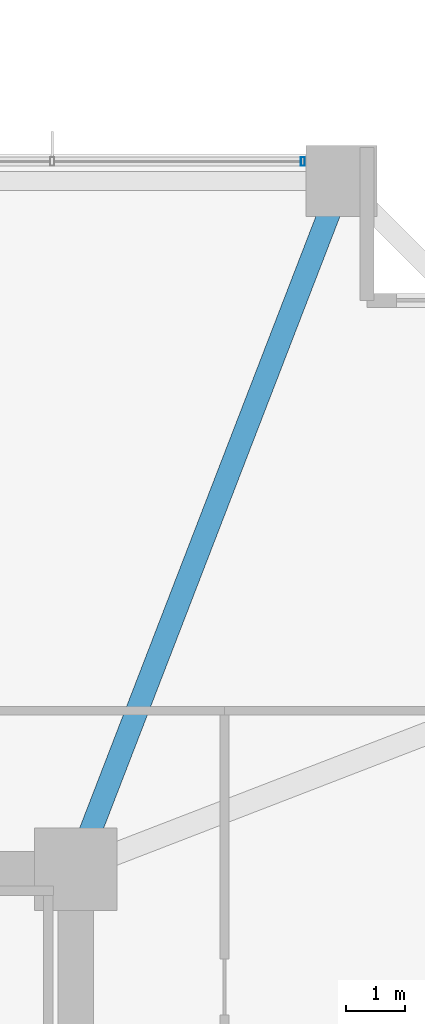
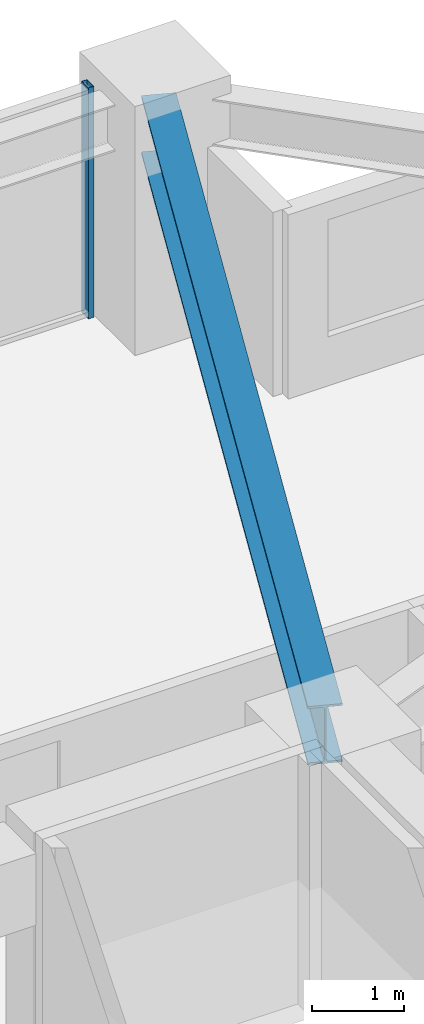
# One storey, part 25 of 38: 1 beam, 1 member, 1 element without a shape of its own.
"""IFC4 building model written with IfcOpenShell, lengths in metres."""

from ifc_helpers import new_model, si_unit, direction, frame, origin, origin_2d, place, context, subcontext, project, spatial, hollow_rectangle, i_section, extrude, material, material_profile, profile_set, type_object, element, aggregate, save


model = new_model("IFC4")

# Units and contexts
model_context = context("Model", 3, precision=1e-05, world=origin(), true_north=direction((0.0, 1.0)))
body_context = subcontext(model_context, "Body", "Model", "MODEL_VIEW")
ifc_project = project(units=[si_unit("LENGTHUNIT", "METRE"), si_unit("AREAUNIT", "SQUARE_METRE"), si_unit("VOLUMEUNIT", "CUBIC_METRE"), si_unit("PLANEANGLEUNIT", "RADIAN"), si_unit("MASSUNIT", "GRAM", prefix="KILO")], contexts=[model_context])

# Site, building, storey
site_placement = place(None, origin())
site = spatial("IfcSite", under=ifc_project, at=site_placement, CompositionType="ELEMENT")
building_placement = place(site_placement, origin())
building = spatial("IfcBuilding", under=site, at=building_placement, Name="Kolvaren Belvedere", CompositionType="ELEMENT")
storey_placement = place(building_placement, frame((0.0, 0.0, 27.10009765625)))
storey = spatial("IfcBuildingStorey", under=building, at=storey_placement, Name="L07", CompositionType="ELEMENT", Elevation=27.10009765625)

# Beam
ifc_material_1 = material(Name="Structural steel ASTM A992 Grade 50", Category="steel")
ifc_material_profile_1 = material_profile(ifc_material_1, i_section(OverallWidth=0.381103515625, OverallDepth=0.77294921875, WebThickness=0.0166015625, FlangeThickness=0.027099609375, FilletRadius=0.02392578125, at=origin_2d()), Name="W30X173")
ifc_profile_set_1 = profile_set([ifc_material_profile_1], Name="Structural steel ASTM A992 Grade 50")
beam_type = type_object("IfcBeamType", Name="BM-GIRD-W30X173", PredefinedType="BEAM", material=ifc_profile_set_1)
beam_placement = place(storey_placement, frame((10.09814453125, 10.4130859375, 2.67333984375), z_axis=(0.360318391835, 0.932829382313, 0.0), x_axis=(-0.932829382313, 0.360318391835, 0.0)))
element("IfcBeam", 1, at=beam_placement, inside=storey, type_object=beam_type, Name="L07 Corner Core-to-Perimeter Girder CC3-N4", PredefinedType="BEAM", context=body_context, shape_type="SweptSolid", body=[
    extrude(i_section(OverallWidth=0.381103515625, OverallDepth=0.77294921875, WebThickness=0.0166015625, FlangeThickness=0.027099609375, FilletRadius=0.02392578125, at=origin_2d()), origin(), (0.0, 0.0, 1.0), 11.698974609375),
])

# Curtain wall, member
ifc_material_2 = material(Name="Anodised pale-metal aluminium AA 6063-T6", Category="aluminium")
curtain_wall_type = type_object("IfcCurtainWallType", Name="CW-Z1-LOW", PredefinedType="NOTDEFINED", material=ifc_material_2)
curtain_wall_placement = place(storey_placement, origin())
curtain_wall = element("IfcCurtainWall", 2, at=curtain_wall_placement, inside=storey, type_object=curtain_wall_type, Name="L07 Unitised Curtain Wall FCW-L07-N2-B2", PredefinedType="NOTDEFINED")
ifc_material_3 = material(Name="Anodised pale-metal aluminium AA 6063-T6", Category="aluminium")
ifc_material_profile_2 = material_profile(ifc_material_3, hollow_rectangle(XDim=0.070068359375, YDim=0.14990234375, WallThickness=0.004150390625, at=origin_2d()), Name="ALU-MUL-150X70")
ifc_profile_set_2 = profile_set([ifc_material_profile_2], Name="Anodised pale-metal aluminium AA 6063-T6")
member_type = type_object("IfcMemberType", Name="CW-MUL-150", PredefinedType="MULLION", material=ifc_profile_set_2)
member_placement = place(storey_placement, frame((13.7451171875, 21.8798828125, 0.0), z_axis=(0.0, 0.0, 1.0), x_axis=(1.0, 0.0, 0.0)))
member = element("IfcMember", 3, at=member_placement, type_object=member_type, Name="FCW-L07-N2-B2 Unitised Mullion 3", PredefinedType="MULLION", context=body_context, shape_type="SweptSolid", body=[
    extrude(hollow_rectangle(XDim=0.070068359375, YDim=0.14990234375, WallThickness=0.004150390625, at=origin_2d()), origin(), (0.0, 0.0, 1.0), 3.059814453125),
])
aggregate(curtain_wall, [member])

save(model, "model.ifc")
